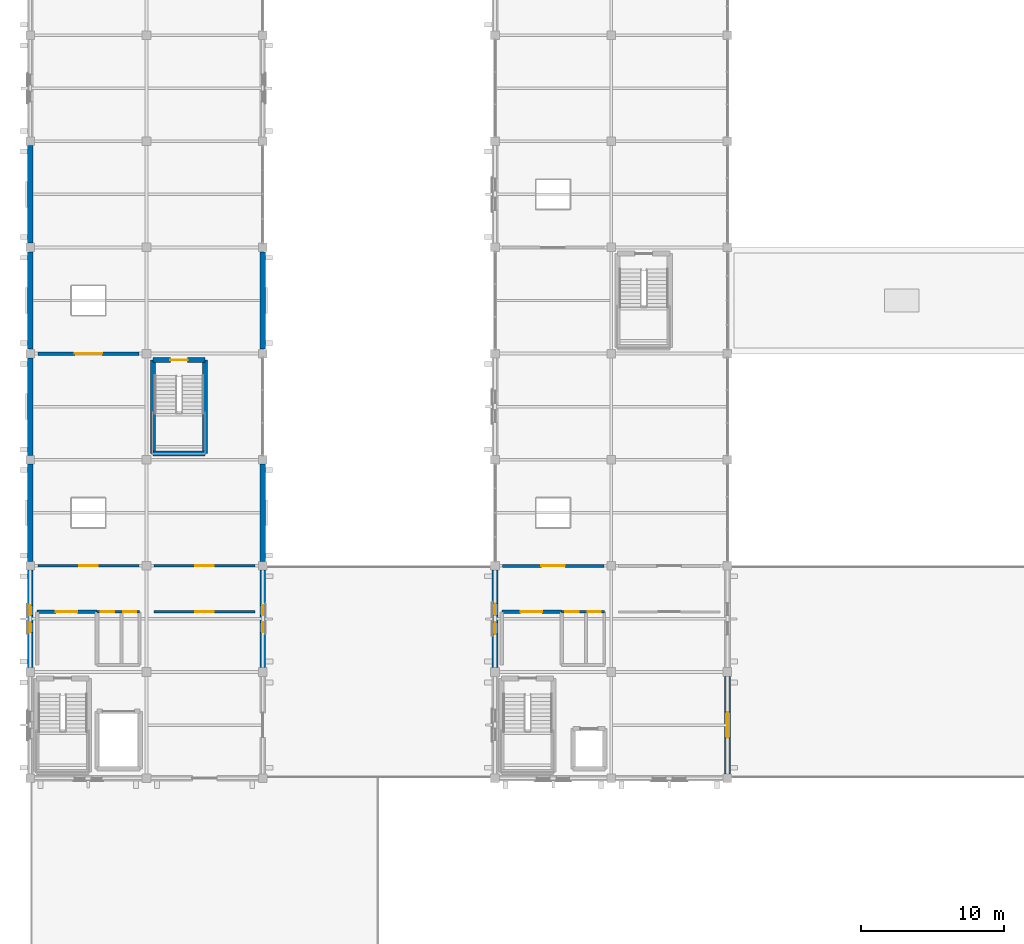
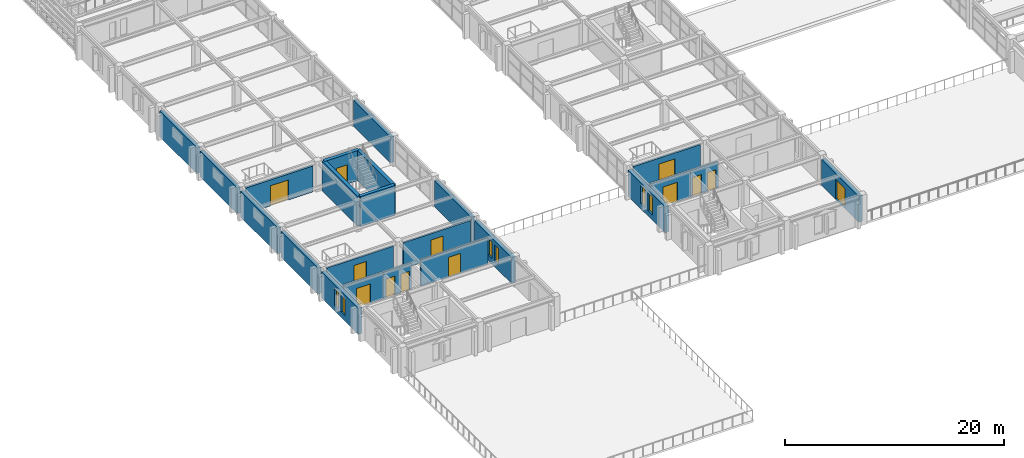
# One storey, part 101 of 121: 23 walls, 13 doors, 6 windows, 19 openings.
"""IFC4 building model written with IfcOpenShell, lengths in metres."""

from ifc_helpers import new_model, si_unit, direction, frame, frame_2d, origin, place, context, subcontext, project, spatial, rectangle, extrude, material, layer, layer_set, type_object, element, fill, save


model = new_model("IFC4")

# Units and contexts
model_context = context("Model", 3, precision=1e-05, world=origin(), true_north=direction((0.0, 1.0)))
body_context = subcontext(model_context, "Body", "Model", "MODEL_VIEW")
ifc_project = project(units=[si_unit("LENGTHUNIT", "METRE"), si_unit("AREAUNIT", "SQUARE_METRE"), si_unit("VOLUMEUNIT", "CUBIC_METRE"), si_unit("PLANEANGLEUNIT", "RADIAN"), si_unit("MASSUNIT", "GRAM", prefix="KILO")], contexts=[model_context])

# Site, building, storey
site_placement = place(None, origin())
site = spatial("IfcSite", under=ifc_project, at=site_placement, CompositionType="ELEMENT")
building_placement = place(site_placement, origin())
building = spatial("IfcBuilding", under=site, at=building_placement, Name="Cimatlan Art Gallery", CompositionType="ELEMENT")
storey_placement = place(building_placement, frame((0.0, 0.0, 10.199951171875)))
storey = spatial("IfcBuildingStorey", under=building, at=storey_placement, Name="L02", CompositionType="ELEMENT", Elevation=10.199951171875)

# Walls
ifc_material_1 = material(Name="Concrete C40/50", Category="concrete")
ifc_layer_1 = layer(ifc_material_1, 0.35009765625)
ifc_layer_set_1 = layer_set([ifc_layer_1], Name="Concrete C40/50")
wall_type_1 = type_object("IfcWallType", Name="W-CORE-350", PredefinedType="SHEAR", material=ifc_layer_set_1)
wall_1_placement = place(storey_placement, frame((10.5400390625, 46.5400390625, 0.0), z_axis=(0.0, 0.0, 1.0), x_axis=(0.0, 1.0, 0.0)))
element("IfcWall", 1, at=wall_1_placement, inside=storey, type_object=wall_type_1, Name="WL-CORE-C7-L02-SW", PredefinedType="SHEAR", context=body_context, shape_type="SweptSolid", body=[
    extrude(rectangle(XDim=6.52001953125, YDim=0.35009765625, at=frame_2d((3.260009765625, 0.0))), origin(), (0.0, 0.0, 1.0), 3.364990234375),
])
wall_2_placement = place(storey_placement, frame((10.5400390625, 46.5400390625, 0.0), z_axis=(0.0, 0.0, 1.0), x_axis=(1.0, 0.0, 0.0)))
element("IfcWall", 2, at=wall_2_placement, inside=storey, type_object=wall_type_1, Name="WL-CORE-C7-L02-SS", PredefinedType="SHEAR", context=body_context, shape_type="SweptSolid", body=[
    extrude(rectangle(XDim=3.639892578125, YDim=0.35009765625, at=frame_2d((1.81982421875, 0.0))), origin(), (0.0, 0.0, 1.0), 3.364990234375),
])
wall_3_placement = place(storey_placement, frame((14.179931640625, 46.5400390625, 0.0), z_axis=(0.0, 0.0, 1.0), x_axis=(0.0, 1.0, 0.0)))
element("IfcWall", 3, at=wall_3_placement, inside=storey, type_object=wall_type_1, Name="WL-CORE-C7-L02-SE", PredefinedType="SHEAR", context=body_context, shape_type="SweptSolid", body=[
    extrude(rectangle(XDim=6.52001953125, YDim=0.35009765625, at=frame_2d((3.260009765625, 0.0))), origin(), (0.0, 0.0, 1.0), 3.364990234375),
])

# Wall, opening, door
wall_4_placement = place(storey_placement, frame((10.5400390625, 53.06005859375, 0.0), z_axis=(0.0, 0.0, 1.0), x_axis=(1.0, 0.0, 0.0)))
wall_4 = element("IfcWall", 4, at=wall_4_placement, inside=storey, type_object=wall_type_1, Name="WL-CORE-C7-L02-SN", PredefinedType="SHEAR", context=body_context, shape_type="SweptSolid", body=[
    extrude(rectangle(XDim=3.639892578125, YDim=0.35009765625, at=frame_2d((1.81982421875, 0.0))), origin(), (0.0, 0.0, 1.0), 3.364990234375),
])
opening_1_placement = place(wall_4_placement, frame((1.219970703125, 0.0, 0.0)))
opening_1 = element("IfcOpeningElement", 5, at=opening_1_placement, cuts=wall_4, Name="Opening FD-C7-L02", PredefinedType="OPENING", context=body_context, shape_type="SweptSolid", body=[
    extrude(rectangle(XDim=1.199951171875, YDim=2.14990234375, at=frame_2d((0.60009765625, 1.074951171875))), frame((0.0, 0.18505859375, 0.0), z_axis=(0.0, -1.0, 0.0), x_axis=(1.0, 0.0, 0.0)), (0.0, 0.0, 1.0), 0.3701171875),
])
ifc_material_2 = material(Name="Fire-resisting steel acoustic stair door", Category="steel")
door_type_1 = type_object("IfcDoorType", Name="FD-ST-1200", OperationType="NOTDEFINED", PredefinedType="DOOR", material=ifc_material_2)
door_1_placement = place(opening_1_placement, origin())
door_1 = element("IfcDoor", 6, at=door_1_placement, inside=storey, type_object=door_type_1, Name="DR-C7-L02-ST", OperationType="SINGLE_SWING_LEFT", OverallHeight=2.14990234375, OverallWidth=1.199951171875, PredefinedType="DOOR", context=body_context, shape_type="SweptSolid", body=[
    extrude(rectangle(XDim=1.199951171875, YDim=2.14990234375, at=frame_2d((0.60009765625, 1.074951171875))), frame((0.0, 0.02490234375, 0.0), z_axis=(0.0, -1.0, 0.0), x_axis=(1.0, 0.0, 0.0)), (0.0, 0.0, 1.0), 0.050048828125),
])
fill(opening_1, door_1)

ifc_material_3 = material(Name="Precast concrete C40/50", Category="concrete")
ifc_layer_2 = layer(ifc_material_3, 0.2451171875)
ifc_layer_set_2 = layer_set([ifc_layer_2], Name="Precast concrete C40/50")
wall_type_2 = type_object("IfcWallType", Name="W-FFL-245", PredefinedType="PARTITIONING", material=ifc_layer_set_2)
wall_5_placement = place(storey_placement, frame((2.47998046875, 35.5, 0.0), z_axis=(0.0, 0.0, 1.0), x_axis=(1.0, 0.0, 0.0)))
wall_5 = element("IfcWall", 7, at=wall_5_placement, inside=storey, type_object=wall_type_2, Name="WL-LOB-C1-L02-N", PredefinedType="PARTITIONING", context=body_context, shape_type="SweptSolid", body=[
    extrude(rectangle(XDim=4.169921875, YDim=0.2451171875, at=frame_2d((2.0849609375, 0.0))), origin(), (0.0, 0.0, 1.0), 2.903076171875),
])
opening_2_placement = place(wall_5_placement, frame((1.300048828125, 0.0, 0.0)))
opening_2 = element("IfcOpeningElement", 8, at=opening_2_placement, cuts=wall_5, Name="Opening FDL-C1-L02", PredefinedType="OPENING", context=body_context, shape_type="SweptSolid", body=[
    extrude(rectangle(XDim=1.5, YDim=2.14990234375, at=frame_2d((0.75, 1.074951171875))), frame((0.0, 0.132568359375, 0.0), z_axis=(0.0, -1.0, 0.0), x_axis=(1.0, 0.0, 0.0)), (0.0, 0.0, 1.0), 0.26513671875),
])
ifc_material_4 = material(Name="Fire-resisting double-seal lobby door")
door_type_2 = type_object("IfcDoorType", Name="FD-LB-1500", OperationType="NOTDEFINED", PredefinedType="DOOR", material=ifc_material_4)
door_2_placement = place(opening_2_placement, origin())
door_2 = element("IfcDoor", 9, at=door_2_placement, inside=storey, type_object=door_type_2, Name="DR-LOB-C1-L02", OperationType="SINGLE_SWING_RIGHT", OverallHeight=2.14990234375, OverallWidth=1.5, PredefinedType="DOOR", context=body_context, shape_type="SweptSolid", body=[
    extrude(rectangle(XDim=1.5, YDim=2.14990234375, at=frame_2d((0.75, 1.074951171875))), frame((0.0, 0.02490234375, 0.0), z_axis=(0.0, -1.0, 0.0), x_axis=(1.0, 0.0, 0.0)), (0.0, 0.0, 1.0), 0.050048828125),
])
fill(opening_2, door_2)

wall_6_placement = place(storey_placement, frame((34.8798828125, 35.5, 0.0), z_axis=(0.0, 0.0, 1.0), x_axis=(1.0, 0.0, 0.0)))
wall_6 = element("IfcWall", 10, at=wall_6_placement, inside=storey, type_object=wall_type_2, Name="WL-LOB-C2-L02-N", PredefinedType="PARTITIONING", context=body_context, shape_type="SweptSolid", body=[
    extrude(rectangle(XDim=4.170166015625, YDim=0.2451171875, at=frame_2d((2.0849609375, 0.0))), origin(), (0.0, 0.0, 1.0), 2.903076171875),
])
opening_3_placement = place(wall_6_placement, frame((1.300048828125, 0.0, 0.0)))
opening_3 = element("IfcOpeningElement", 11, at=opening_3_placement, cuts=wall_6, Name="Opening FDL-C2-L02", PredefinedType="OPENING", context=body_context, shape_type="SweptSolid", body=[
    extrude(rectangle(XDim=1.5, YDim=2.14990234375, at=frame_2d((0.75, 1.074951171875))), frame((0.0, 0.132568359375, 0.0), z_axis=(0.0, -1.0, 0.0), x_axis=(1.0, 0.0, 0.0)), (0.0, 0.0, 1.0), 0.26513671875),
])
door_3_placement = place(opening_3_placement, origin())
door_3 = element("IfcDoor", 12, at=door_3_placement, inside=storey, type_object=door_type_2, Name="DR-LOB-C2-L02", OperationType="SINGLE_SWING_RIGHT", OverallHeight=2.14990234375, OverallWidth=1.5, PredefinedType="DOOR", context=body_context, shape_type="SweptSolid", body=[
    extrude(rectangle(XDim=1.5, YDim=2.14990234375, at=frame_2d((0.75, 1.074951171875))), frame((0.0, 0.02490234375, 0.0), z_axis=(0.0, -1.0, 0.0), x_axis=(1.0, 0.0, 0.0)), (0.0, 0.0, 1.0), 0.050048828125),
])
fill(opening_3, door_3)

wall_7_placement = place(storey_placement, frame((2.52001953125, 53.5, 0.0), z_axis=(0.0, 0.0, 1.0), x_axis=(1.0, 0.0, 0.0)))
wall_7 = element("IfcWall", 13, at=wall_7_placement, inside=storey, type_object=wall_type_2, Name="WL-RM-L02-AST-01", PredefinedType="PARTITIONING", context=body_context, shape_type="SweptSolid", body=[
    extrude(rectangle(XDim=7.06005859375, YDim=0.2451171875, at=frame_2d((3.530029296875, 0.0))), origin(), (0.0, 0.0, 1.0), 2.903076171875),
])
opening_4_placement = place(wall_7_placement, frame((2.580078125, 0.0, 0.0)))
opening_4 = element("IfcOpeningElement", 14, at=opening_4_placement, cuts=wall_7, Name="Opening DI-0224", PredefinedType="OPENING", context=body_context, shape_type="SweptSolid", body=[
    extrude(rectangle(XDim=1.89990234375, YDim=2.25, at=frame_2d((0.949951171875, 1.125))), frame((0.0, 0.132568359375, 0.0), z_axis=(0.0, -1.0, 0.0), x_axis=(1.0, 0.0, 0.0)), (0.0, 0.0, 1.0), 0.26513671875),
])
ifc_material_5 = material(Name="Fire-resisting art-store and archive vault door")
door_type_3 = type_object("IfcDoorType", Name="FD-VL-1900", OperationType="NOTDEFINED", PredefinedType="DOOR", material=ifc_material_5)
door_4_placement = place(opening_4_placement, origin())
door_4 = element("IfcDoor", 15, at=door_4_placement, inside=storey, type_object=door_type_3, Name="DR-RM-L02-AST-01", OperationType="SINGLE_SWING_RIGHT", OverallHeight=2.25, OverallWidth=1.89990234375, PredefinedType="DOOR", context=body_context, shape_type="SweptSolid", body=[
    extrude(rectangle(XDim=1.89990234375, YDim=2.25, at=frame_2d((0.949951171875, 1.125))), frame((0.0, 0.02490234375, 0.0), z_axis=(0.0, -1.0, 0.0), x_axis=(1.0, 0.0, 0.0)), (0.0, 0.0, 1.0), 0.050048828125),
])
fill(opening_4, door_4)

ifc_material_6 = material(Name="Acoustic gypsum and steel stud partition", Category="steel")
ifc_layer_3 = layer(ifc_material_6, 0.205078125)
ifc_layer_set_3 = layer_set([ifc_layer_3], Name="Acoustic gypsum and steel stud partition")
wall_type_3 = type_object("IfcWallType", Name="W-GAL-205", PredefinedType="PARTITIONING", material=ifc_layer_set_3)
wall_8_placement = place(storey_placement, frame((34.919921875, 38.699951171875, 0.0), z_axis=(0.0, 0.0, 1.0), x_axis=(1.0, 0.0, 0.0)))
wall_8 = element("IfcWall", 16, at=wall_8_placement, inside=storey, type_object=wall_type_3, Name="WL-RM-L02-GAL-W1", PredefinedType="PARTITIONING", context=body_context, shape_type="SweptSolid", body=[
    extrude(rectangle(XDim=7.06005859375, YDim=0.205078125, at=frame_2d((3.530029296875, 0.0))), origin(), (0.0, 0.0, 1.0), 2.903076171875),
])
opening_5_placement = place(wall_8_placement, frame((2.705078125, 0.0, 0.0)))
opening_5 = element("IfcOpeningElement", 17, at=opening_5_placement, cuts=wall_8, Name="Opening DI-0226", PredefinedType="OPENING", context=body_context, shape_type="SweptSolid", body=[
    extrude(rectangle(XDim=1.64990234375, YDim=2.25, at=frame_2d((0.824951171875, 1.125))), frame((0.0, 0.112548828125, 0.0), z_axis=(0.0, -1.0, 0.0), x_axis=(1.0, 0.0, 0.0)), (0.0, 0.0, 1.0), 0.22509765625),
])
ifc_material_7 = material(Name="European oak gallery double door")
door_type_4 = type_object("IfcDoorType", Name="DI-GL-1650", OperationType="NOTDEFINED", PredefinedType="DOOR", material=ifc_material_7)
door_5_placement = place(opening_5_placement, origin())
door_5 = element("IfcDoor", 18, at=door_5_placement, inside=storey, type_object=door_type_4, Name="DR-RM-L02-GAL-W1", OperationType="SINGLE_SWING_RIGHT", OverallHeight=2.25, OverallWidth=1.64990234375, PredefinedType="DOOR", context=body_context, shape_type="SweptSolid", body=[
    extrude(rectangle(XDim=1.64990234375, YDim=2.25, at=frame_2d((0.824951171875, 1.125))), frame((0.0, 0.02490234375, 0.0), z_axis=(0.0, -1.0, 0.0), x_axis=(1.0, 0.0, 0.0)), (0.0, 0.0, 1.0), 0.050048828125),
])
fill(opening_5, door_5)

# Wall, openings, doors
ifc_material_8 = material(Name="Moisture-resistant fire-rated plumbing wall")
ifc_layer_4 = layer(ifc_material_8, 0.195068359375)
ifc_layer_set_4 = layer_set([ifc_layer_4], Name="Moisture-resistant fire-rated plumbing wall")
wall_type_4 = type_object("IfcWallType", Name="W-PLM-195", PredefinedType="PARTITIONING", material=ifc_layer_set_4)
wall_9_placement = place(storey_placement, frame((6.64990234375, 35.5, 0.0), z_axis=(0.0, 0.0, 1.0), x_axis=(1.0, 0.0, 0.0)))
wall_9 = element("IfcWall", 19, at=wall_9_placement, inside=storey, type_object=wall_type_4, Name="WL-WC-C1-L02-N", PredefinedType="PARTITIONING", context=body_context, shape_type="SweptSolid", body=[
    extrude(rectangle(XDim=2.97021484375, YDim=0.195068359375, at=frame_2d((1.485107421875, 0.0))), origin(), (0.0, 0.0, 1.0), 2.903076171875),
])
opening_6_placement = place(wall_9_placement, frame((0.25, 0.0, 0.0)))
opening_6 = element("IfcOpeningElement", 20, at=opening_6_placement, cuts=wall_9, Name="Opening DWC-C1A-L02", PredefinedType="OPENING", context=body_context, shape_type="SweptSolid", body=[
    extrude(rectangle(XDim=0.949951171875, YDim=2.10009765625, at=frame_2d((0.47509765625, 1.050048828125))), frame((0.0, 0.107421875, 0.0), z_axis=(0.0, -1.0, 0.0), x_axis=(1.0, 0.0, 0.0)), (0.0, 0.0, 1.0), 0.215087890625),
])
opening_7_placement = place(wall_9_placement, frame((1.820068359375, 0.0, 0.0)))
opening_7 = element("IfcOpeningElement", 21, at=opening_7_placement, cuts=wall_9, Name="Opening DWC-C1B-L02", PredefinedType="OPENING", context=body_context, shape_type="SweptSolid", body=[
    extrude(rectangle(XDim=0.89990234375, YDim=2.10009765625, at=frame_2d((0.449951171875, 1.050048828125))), frame((0.0, 0.107421875, 0.0), z_axis=(0.0, -1.0, 0.0), x_axis=(1.0, 0.0, 0.0)), (0.0, 0.0, 1.0), 0.215087890625),
])
ifc_material_9 = material(Name="Sanitary room door")
door_type_5 = type_object("IfcDoorType", Name="DI-WC-0900", OperationType="NOTDEFINED", PredefinedType="DOOR", material=ifc_material_9)
door_6_placement = place(opening_7_placement, origin())
door_6 = element("IfcDoor", 22, at=door_6_placement, inside=storey, type_object=door_type_5, Name="DR-PWC-C1-L02", OperationType="SINGLE_SWING_RIGHT", OverallHeight=2.10009765625, OverallWidth=0.89990234375, PredefinedType="DOOR", context=body_context, shape_type="SweptSolid", body=[
    extrude(rectangle(XDim=0.89990234375, YDim=2.10009765625, at=frame_2d((0.449951171875, 1.050048828125))), frame((0.0, 0.02490234375, 0.0), z_axis=(0.0, -1.0, 0.0), x_axis=(1.0, 0.0, 0.0)), (0.0, 0.0, 1.0), 0.050048828125),
])
fill(opening_7, door_6)
ifc_material_10 = material(Name="Accessible sanitary room door")
door_type_6 = type_object("IfcDoorType", Name="DI-WC-0950", OperationType="NOTDEFINED", PredefinedType="DOOR", material=ifc_material_10)
door_7_placement = place(opening_6_placement, origin())
door_7 = element("IfcDoor", 23, at=door_7_placement, inside=storey, type_object=door_type_6, Name="DR-AWC-C1-L02", OperationType="SINGLE_SWING_LEFT", OverallHeight=2.10009765625, OverallWidth=0.949951171875, PredefinedType="DOOR", context=body_context, shape_type="SweptSolid", body=[
    extrude(rectangle(XDim=0.949951171875, YDim=2.10009765625, at=frame_2d((0.47509765625, 1.050048828125))), frame((0.0, 0.02490234375, 0.0), z_axis=(0.0, -1.0, 0.0), x_axis=(1.0, 0.0, 0.0)), (0.0, 0.0, 1.0), 0.050048828125),
])
fill(opening_6, door_7)

wall_10_placement = place(storey_placement, frame((39.050048828125, 35.5, 0.0), z_axis=(0.0, 0.0, 1.0), x_axis=(1.0, 0.0, 0.0)))
wall_10 = element("IfcWall", 24, at=wall_10_placement, inside=storey, type_object=wall_type_4, Name="WL-WC-C2-L02-N", PredefinedType="PARTITIONING", context=body_context, shape_type="SweptSolid", body=[
    extrude(rectangle(XDim=2.969970703125, YDim=0.195068359375, at=frame_2d((1.48486328125, 0.0))), origin(), (0.0, 0.0, 1.0), 2.903076171875),
])
opening_8_placement = place(wall_10_placement, frame((0.25, 0.0, 0.0)))
opening_8 = element("IfcOpeningElement", 25, at=opening_8_placement, cuts=wall_10, Name="Opening DWC-C2A-L02", PredefinedType="OPENING", context=body_context, shape_type="SweptSolid", body=[
    extrude(rectangle(XDim=0.949951171875, YDim=2.10009765625, at=frame_2d((0.47509765625, 1.050048828125))), frame((0.0, 0.107421875, 0.0), z_axis=(0.0, -1.0, 0.0), x_axis=(1.0, 0.0, 0.0)), (0.0, 0.0, 1.0), 0.215087890625),
])
opening_9_placement = place(wall_10_placement, frame((1.820068359375, 0.0, 0.0)))
opening_9 = element("IfcOpeningElement", 26, at=opening_9_placement, cuts=wall_10, Name="Opening DWC-C2B-L02", PredefinedType="OPENING", context=body_context, shape_type="SweptSolid", body=[
    extrude(rectangle(XDim=0.89990234375, YDim=2.10009765625, at=frame_2d((0.449951171875, 1.050048828125))), frame((0.0, 0.107421875, 0.0), z_axis=(0.0, -1.0, 0.0), x_axis=(1.0, 0.0, 0.0)), (0.0, 0.0, 1.0), 0.215087890625),
])
door_8_placement = place(opening_9_placement, origin())
door_8 = element("IfcDoor", 27, at=door_8_placement, inside=storey, type_object=door_type_5, Name="DR-PWC-C2-L02", OperationType="SINGLE_SWING_RIGHT", OverallHeight=2.10009765625, OverallWidth=0.89990234375, PredefinedType="DOOR", context=body_context, shape_type="SweptSolid", body=[
    extrude(rectangle(XDim=0.89990234375, YDim=2.10009765625, at=frame_2d((0.449951171875, 1.050048828125))), frame((0.0, 0.02490234375, 0.0), z_axis=(0.0, -1.0, 0.0), x_axis=(1.0, 0.0, 0.0)), (0.0, 0.0, 1.0), 0.050048828125),
])
fill(opening_9, door_8)
door_9_placement = place(opening_8_placement, origin())
door_9 = element("IfcDoor", 28, at=door_9_placement, inside=storey, type_object=door_type_6, Name="DR-AWC-C2-L02", OperationType="SINGLE_SWING_LEFT", OverallHeight=2.10009765625, OverallWidth=0.949951171875, PredefinedType="DOOR", context=body_context, shape_type="SweptSolid", body=[
    extrude(rectangle(XDim=0.949951171875, YDim=2.10009765625, at=frame_2d((0.47509765625, 1.050048828125))), frame((0.0, 0.02490234375, 0.0), z_axis=(0.0, -1.0, 0.0), x_axis=(1.0, 0.0, 0.0)), (0.0, 0.0, 1.0), 0.050048828125),
])
fill(opening_8, door_9)

# Wall, opening, door
ifc_layer_5 = layer(ifc_material_6, 0.179931640625)
ifc_layer_set_5 = layer_set([ifc_layer_5], Name="Acoustic gypsum and steel stud partition")
wall_type_5 = type_object("IfcWallType", Name="W-STD-180", PredefinedType="PARTITIONING", material=ifc_layer_set_5)
wall_11_placement = place(storey_placement, frame((10.6201171875, 35.5, 0.0), z_axis=(0.0, 0.0, 1.0), x_axis=(1.0, 0.0, 0.0)))
wall_11 = element("IfcWall", 29, at=wall_11_placement, inside=storey, type_object=wall_type_5, Name="WL-RM-L02-CNS-B1A", PredefinedType="PARTITIONING", context=body_context, shape_type="SweptSolid", body=[
    extrude(rectangle(XDim=7.059814453125, YDim=0.179931640625, at=frame_2d((3.52978515625, 0.0))), origin(), (0.0, 0.0, 1.0), 2.903076171875),
])
opening_10_placement = place(wall_11_placement, frame((2.8798828125, 0.0, 0.0)))
opening_10 = element("IfcOpeningElement", 30, at=opening_10_placement, cuts=wall_11, Name="Opening DI-0221", PredefinedType="OPENING", context=body_context, shape_type="SweptSolid", body=[
    extrude(rectangle(XDim=1.300048828125, YDim=2.199951171875, at=frame_2d((0.64990234375, 1.10009765625))), frame((0.0, 0.10009765625, 0.0), z_axis=(0.0, -1.0, 0.0), x_axis=(1.0, 0.0, 0.0)), (0.0, 0.0, 1.0), 0.199951171875),
])
ifc_material_11 = material(Name="Conservation laboratory double-leaf door")
door_type_7 = type_object("IfcDoorType", Name="DI-CN-1300", OperationType="NOTDEFINED", PredefinedType="DOOR", material=ifc_material_11)
door_10_placement = place(opening_10_placement, origin())
door_10 = element("IfcDoor", 31, at=door_10_placement, inside=storey, type_object=door_type_7, Name="DR-RM-L02-CNS-B1A", OperationType="SINGLE_SWING_LEFT", OverallHeight=2.199951171875, OverallWidth=1.300048828125, PredefinedType="DOOR", context=body_context, shape_type="SweptSolid", body=[
    extrude(rectangle(XDim=1.300048828125, YDim=2.199951171875, at=frame_2d((0.64990234375, 1.10009765625))), frame((0.0, 0.02490234375, 0.0), z_axis=(0.0, -1.0, 0.0), x_axis=(1.0, 0.0, 0.0)), (0.0, 0.0, 1.0), 0.050048828125),
])
fill(opening_10, door_10)

wall_12_placement = place(storey_placement, frame((2.52001953125, 38.699951171875, 0.0), z_axis=(0.0, 0.0, 1.0), x_axis=(1.0, 0.0, 0.0)))
wall_12 = element("IfcWall", 32, at=wall_12_placement, inside=storey, type_object=wall_type_5, Name="WL-RM-L02-CNS-02", PredefinedType="PARTITIONING", context=body_context, shape_type="SweptSolid", body=[
    extrude(rectangle(XDim=7.06005859375, YDim=0.179931640625, at=frame_2d((3.530029296875, 0.0))), origin(), (0.0, 0.0, 1.0), 2.903076171875),
])
opening_11_placement = place(wall_12_placement, frame((2.8798828125, 0.0, 0.0)))
opening_11 = element("IfcOpeningElement", 33, at=opening_11_placement, cuts=wall_12, Name="Opening DI-0222", PredefinedType="OPENING", context=body_context, shape_type="SweptSolid", body=[
    extrude(rectangle(XDim=1.300048828125, YDim=2.199951171875, at=frame_2d((0.64990234375, 1.10009765625))), frame((0.0, 0.10009765625, 0.0), z_axis=(0.0, -1.0, 0.0), x_axis=(1.0, 0.0, 0.0)), (0.0, 0.0, 1.0), 0.199951171875),
])
door_11_placement = place(opening_11_placement, origin())
door_11 = element("IfcDoor", 34, at=door_11_placement, inside=storey, type_object=door_type_7, Name="DR-RM-L02-CNS-02", OperationType="SINGLE_SWING_RIGHT", OverallHeight=2.199951171875, OverallWidth=1.300048828125, PredefinedType="DOOR", context=body_context, shape_type="SweptSolid", body=[
    extrude(rectangle(XDim=1.300048828125, YDim=2.199951171875, at=frame_2d((0.64990234375, 1.10009765625))), frame((0.0, 0.02490234375, 0.0), z_axis=(0.0, -1.0, 0.0), x_axis=(1.0, 0.0, 0.0)), (0.0, 0.0, 1.0), 0.050048828125),
])
fill(opening_11, door_11)

wall_13_placement = place(storey_placement, frame((10.6201171875, 38.699951171875, 0.0), z_axis=(0.0, 0.0, 1.0), x_axis=(1.0, 0.0, 0.0)))
wall_13 = element("IfcWall", 35, at=wall_13_placement, inside=storey, type_object=wall_type_5, Name="WL-RM-L02-CNS-02B", PredefinedType="PARTITIONING", context=body_context, shape_type="SweptSolid", body=[
    extrude(rectangle(XDim=7.059814453125, YDim=0.179931640625, at=frame_2d((3.52978515625, 0.0))), origin(), (0.0, 0.0, 1.0), 2.903076171875),
])
opening_12_placement = place(wall_13_placement, frame((2.8798828125, 0.0, 0.0)))
opening_12 = element("IfcOpeningElement", 36, at=opening_12_placement, cuts=wall_13, Name="Opening DI-0223", PredefinedType="OPENING", context=body_context, shape_type="SweptSolid", body=[
    extrude(rectangle(XDim=1.300048828125, YDim=2.199951171875, at=frame_2d((0.64990234375, 1.10009765625))), frame((0.0, 0.10009765625, 0.0), z_axis=(0.0, -1.0, 0.0), x_axis=(1.0, 0.0, 0.0)), (0.0, 0.0, 1.0), 0.199951171875),
])
door_12_placement = place(opening_12_placement, origin())
door_12 = element("IfcDoor", 37, at=door_12_placement, inside=storey, type_object=door_type_7, Name="DR-RM-L02-CNS-02B", OperationType="SINGLE_SWING_LEFT", OverallHeight=2.199951171875, OverallWidth=1.300048828125, PredefinedType="DOOR", context=body_context, shape_type="SweptSolid", body=[
    extrude(rectangle(XDim=1.300048828125, YDim=2.199951171875, at=frame_2d((0.64990234375, 1.10009765625))), frame((0.0, 0.02490234375, 0.0), z_axis=(0.0, -1.0, 0.0), x_axis=(1.0, 0.0, 0.0)), (0.0, 0.0, 1.0), 0.050048828125),
])
fill(opening_12, door_12)

# Wall, openings, windows
ifc_layer_6 = layer(ifc_material_3, 0.39990234375)
ifc_layer_set_6 = layer_set([ifc_layer_6], Name="Precast concrete C40/50")
wall_type_6 = type_object("IfcWallType", Name="WL-EXT-CAN-400", PredefinedType="SOLIDWALL", material=ifc_layer_set_6)
wall_14_placement = place(storey_placement, frame((2.0, 31.60400390625, 0.0), z_axis=(0.0, 0.0, 1.0), x_axis=(0.0, 1.0, 0.0)))
wall_14 = element("IfcWall", 38, at=wall_14_placement, inside=storey, type_object=wall_type_6, Name="WL-EXT-L02-00-04-W", PredefinedType="SOLIDWALL", context=body_context, shape_type="SweptSolid", body=[
    extrude(rectangle(XDim=6.7919921875, YDim=0.39990234375, at=frame_2d((3.39599609375, 0.0))), origin(), (0.0, 0.0, 1.0), 2.89794921875),
])
opening_13_placement = place(wall_14_placement, frame((2.4560546875, 0.0, 0.60009765625)))
opening_13 = element("IfcOpeningElement", 39, at=opening_13_placement, cuts=wall_14, Name="Opening WN-0129", PredefinedType="OPENING", context=body_context, shape_type="SweptSolid", body=[
    extrude(rectangle(XDim=0.699951171875, YDim=1.860107421875, at=frame_2d((0.35009765625, 0.93017578125))), frame((0.0, 0.2099609375, 0.0), z_axis=(0.0, -1.0, 0.0), x_axis=(1.0, 0.0, 0.0)), (0.0, 0.0, 1.0), 0.419921875),
])
opening_14_placement = place(wall_14_placement, frame((3.635986328125, 0.0, 0.60009765625)))
opening_14 = element("IfcOpeningElement", 40, at=opening_14_placement, cuts=wall_14, Name="Opening WN-0130", PredefinedType="OPENING", context=body_context, shape_type="SweptSolid", body=[
    extrude(rectangle(XDim=0.699951171875, YDim=1.860107421875, at=frame_2d((0.35009765625, 0.93017578125))), frame((0.0, 0.2099609375, 0.0), z_axis=(0.0, -1.0, 0.0), x_axis=(1.0, 0.0, 0.0)), (0.0, 0.0, 1.0), 0.419921875),
])
ifc_material_12 = material(Name="Low-E laminated double glazing in bronze lancet frame", Category="glass")
window_type_1 = type_object("IfcWindowType", Name="WIN-CNS-L02-0700X1860", PartitioningType="SINGLE_PANEL", PredefinedType="WINDOW", material=ifc_material_12)
window_1_placement = place(opening_13_placement, origin())
window_1 = element("IfcWindow", 41, at=window_1_placement, inside=storey, type_object=window_type_1, Name="WIN-0129", OverallHeight=1.860107421875, OverallWidth=0.699951171875, PartitioningType="SINGLE_PANEL", PredefinedType="WINDOW", context=body_context, shape_type="SweptSolid", body=[
    extrude(rectangle(XDim=0.699951171875, YDim=1.860107421875, at=frame_2d((0.35009765625, 0.93017578125))), frame((0.0, 0.030029296875, 0.0), z_axis=(0.0, -1.0, 0.0), x_axis=(1.0, 0.0, 0.0)), (0.0, 0.0, 1.0), 0.06005859375),
])
fill(opening_13, window_1)
window_2_placement = place(opening_14_placement, origin())
window_2 = element("IfcWindow", 42, at=window_2_placement, inside=storey, type_object=window_type_1, Name="WIN-0130", OverallHeight=1.860107421875, OverallWidth=0.699951171875, PartitioningType="SINGLE_PANEL", PredefinedType="WINDOW", context=body_context, shape_type="SweptSolid", body=[
    extrude(rectangle(XDim=0.699951171875, YDim=1.860107421875, at=frame_2d((0.35009765625, 0.93017578125))), frame((0.0, 0.030029296875, 0.0), z_axis=(0.0, -1.0, 0.0), x_axis=(1.0, 0.0, 0.0)), (0.0, 0.0, 1.0), 0.06005859375),
])
fill(opening_14, window_2)

wall_15_placement = place(storey_placement, frame((18.199951171875, 38.39599609375, 0.0), z_axis=(0.0, 0.0, 1.0), x_axis=(0.0, -1.0, 0.0)))
wall_15 = element("IfcWall", 43, at=wall_15_placement, inside=storey, type_object=wall_type_6, Name="WL-EXT-L02-01-04-E", PredefinedType="SOLIDWALL", context=body_context, shape_type="SweptSolid", body=[
    extrude(rectangle(XDim=6.7919921875, YDim=0.39990234375, at=frame_2d((3.39599609375, 0.0))), origin(), (0.0, 0.0, 1.0), 2.89794921875),
])
opening_15_placement = place(wall_15_placement, frame((2.4560546875, 0.0, 0.60009765625)))
opening_15 = element("IfcOpeningElement", 44, at=opening_15_placement, cuts=wall_15, Name="Opening WN-0137", PredefinedType="OPENING", context=body_context, shape_type="SweptSolid", body=[
    extrude(rectangle(XDim=0.699951171875, YDim=1.860107421875, at=frame_2d((0.35009765625, 0.93017578125))), frame((0.0, 0.2099609375, 0.0), z_axis=(0.0, -1.0, 0.0), x_axis=(1.0, 0.0, 0.0)), (0.0, 0.0, 1.0), 0.419921875),
])
opening_16_placement = place(wall_15_placement, frame((3.635986328125, 0.0, 0.60009765625)))
opening_16 = element("IfcOpeningElement", 45, at=opening_16_placement, cuts=wall_15, Name="Opening WN-0138", PredefinedType="OPENING", context=body_context, shape_type="SweptSolid", body=[
    extrude(rectangle(XDim=0.699951171875, YDim=1.860107421875, at=frame_2d((0.35009765625, 0.93017578125))), frame((0.0, 0.2099609375, 0.0), z_axis=(0.0, -1.0, 0.0), x_axis=(1.0, 0.0, 0.0)), (0.0, 0.0, 1.0), 0.419921875),
])
window_3_placement = place(opening_15_placement, origin())
window_3 = element("IfcWindow", 46, at=window_3_placement, inside=storey, type_object=window_type_1, Name="WIN-0137", OverallHeight=1.860107421875, OverallWidth=0.699951171875, PartitioningType="SINGLE_PANEL", PredefinedType="WINDOW", context=body_context, shape_type="SweptSolid", body=[
    extrude(rectangle(XDim=0.699951171875, YDim=1.860107421875, at=frame_2d((0.35009765625, 0.93017578125))), frame((0.0, 0.030029296875, 0.0), z_axis=(0.0, -1.0, 0.0), x_axis=(1.0, 0.0, 0.0)), (0.0, 0.0, 1.0), 0.06005859375),
])
fill(opening_15, window_3)
window_4_placement = place(opening_16_placement, origin())
window_4 = element("IfcWindow", 47, at=window_4_placement, inside=storey, type_object=window_type_1, Name="WIN-0138", OverallHeight=1.860107421875, OverallWidth=0.699951171875, PartitioningType="SINGLE_PANEL", PredefinedType="WINDOW", context=body_context, shape_type="SweptSolid", body=[
    extrude(rectangle(XDim=0.699951171875, YDim=1.860107421875, at=frame_2d((0.35009765625, 0.93017578125))), frame((0.0, 0.030029296875, 0.0), z_axis=(0.0, -1.0, 0.0), x_axis=(1.0, 0.0, 0.0)), (0.0, 0.0, 1.0), 0.06005859375),
])
fill(opening_16, window_4)

wall_16_placement = place(storey_placement, frame((34.39990234375, 31.60400390625, 0.0), z_axis=(0.0, 0.0, 1.0), x_axis=(0.0, 1.0, 0.0)))
wall_16 = element("IfcWall", 48, at=wall_16_placement, inside=storey, type_object=wall_type_6, Name="WL-EXT-L02-04-04-W", PredefinedType="SOLIDWALL", context=body_context, shape_type="SweptSolid", body=[
    extrude(rectangle(XDim=6.7919921875, YDim=0.39990234375, at=frame_2d((3.39599609375, 0.0))), origin(), (0.0, 0.0, 1.0), 2.89794921875),
])
opening_17_placement = place(wall_16_placement, frame((2.3359375, 0.0, 0.60009765625)))
opening_17 = element("IfcOpeningElement", 49, at=opening_17_placement, cuts=wall_16, Name="Opening WN-0145", PredefinedType="OPENING", context=body_context, shape_type="SweptSolid", body=[
    extrude(rectangle(XDim=0.820068359375, YDim=2.0, at=frame_2d((0.41015625, 1.0))), frame((0.0, 0.2099609375, 0.0), z_axis=(0.0, -1.0, 0.0), x_axis=(1.0, 0.0, 0.0)), (0.0, 0.0, 1.0), 0.419921875),
])
opening_18_placement = place(wall_16_placement, frame((3.635986328125, 0.0, 0.60009765625)))
opening_18 = element("IfcOpeningElement", 50, at=opening_18_placement, cuts=wall_16, Name="Opening WN-0146", PredefinedType="OPENING", context=body_context, shape_type="SweptSolid", body=[
    extrude(rectangle(XDim=0.820068359375, YDim=2.0, at=frame_2d((0.41015625, 1.0))), frame((0.0, 0.2099609375, 0.0), z_axis=(0.0, -1.0, 0.0), x_axis=(1.0, 0.0, 0.0)), (0.0, 0.0, 1.0), 0.419921875),
])
window_type_2 = type_object("IfcWindowType", Name="WIN-W-L02-0820X2000", PartitioningType="SINGLE_PANEL", PredefinedType="WINDOW", material=ifc_material_12)
window_5_placement = place(opening_17_placement, origin())
window_5 = element("IfcWindow", 51, at=window_5_placement, inside=storey, type_object=window_type_2, Name="WIN-0145", OverallHeight=2.0, OverallWidth=0.820068359375, PartitioningType="SINGLE_PANEL", PredefinedType="WINDOW", context=body_context, shape_type="SweptSolid", body=[
    extrude(rectangle(XDim=0.820068359375, YDim=2.0, at=frame_2d((0.41015625, 1.0))), frame((0.0, 0.030029296875, 0.0), z_axis=(0.0, -1.0, 0.0), x_axis=(1.0, 0.0, 0.0)), (0.0, 0.0, 1.0), 0.06005859375),
])
fill(opening_17, window_5)
window_6_placement = place(opening_18_placement, origin())
window_6 = element("IfcWindow", 52, at=window_6_placement, inside=storey, type_object=window_type_2, Name="WIN-0146", OverallHeight=2.0, OverallWidth=0.820068359375, PartitioningType="SINGLE_PANEL", PredefinedType="WINDOW", context=body_context, shape_type="SweptSolid", body=[
    extrude(rectangle(XDim=0.820068359375, YDim=2.0, at=frame_2d((0.41015625, 1.0))), frame((0.0, 0.030029296875, 0.0), z_axis=(0.0, -1.0, 0.0), x_axis=(1.0, 0.0, 0.0)), (0.0, 0.0, 1.0), 0.06005859375),
])
fill(opening_18, window_6)

# Wall, opening, door
wall_17_placement = place(storey_placement, frame((50.60009765625, 30.99609375, 0.0), z_axis=(0.0, 0.0, 1.0), x_axis=(0.0, -1.0, 0.0)))
wall_17 = element("IfcWall", 53, at=wall_17_placement, inside=storey, type_object=wall_type_6, Name="WL-EXT-L02-05-03-E", PredefinedType="SOLIDWALL", context=body_context, shape_type="SweptSolid", body=[
    extrude(rectangle(XDim=6.7919921875, YDim=0.39990234375, at=frame_2d((3.39599609375, 0.0))), origin(), (0.0, 0.0, 1.0), 2.89794921875),
])
opening_19_placement = place(wall_17_placement, frame((2.49609375, 0.0, 0.0)))
opening_19 = element("IfcOpeningElement", 54, at=opening_19_placement, cuts=wall_17, Name="Opening D-L02-T07", PredefinedType="OPENING", context=body_context, shape_type="SweptSolid", body=[
    extrude(rectangle(XDim=1.800048828125, YDim=2.199951171875, at=frame_2d((0.89990234375, 1.10009765625))), frame((0.0, 0.2099609375, 0.0), z_axis=(0.0, -1.0, 0.0), x_axis=(1.0, 0.0, 0.0)), (0.0, 0.0, 1.0), 0.419921875),
])
ifc_material_13 = material(Name="Anodised bronze and laminated safety glass door", Category="glass")
door_type_8 = type_object("IfcDoorType", Name="DE-TR-1800", OperationType="NOTDEFINED", PredefinedType="DOOR", material=ifc_material_13)
door_13_placement = place(opening_19_placement, origin())
door_13 = element("IfcDoor", 55, at=door_13_placement, inside=storey, type_object=door_type_8, Name="D-L02-T07", OperationType="SINGLE_SWING_LEFT", OverallHeight=2.199951171875, OverallWidth=1.800048828125, PredefinedType="DOOR", context=body_context, shape_type="SweptSolid", body=[
    extrude(rectangle(XDim=1.800048828125, YDim=2.199951171875, at=frame_2d((0.89990234375, 1.10009765625))), frame((0.0, 0.02490234375, 0.0), z_axis=(0.0, -1.0, 0.0), x_axis=(1.0, 0.0, 0.0)), (0.0, 0.0, 1.0), 0.050048828125),
])
fill(opening_19, door_13)

# Walls
ifc_layer_7 = layer(ifc_material_3, 0.364990234375)
ifc_layer_set_7 = layer_set([ifc_layer_7], Name="Precast concrete C40/50")
wall_type_7 = type_object("IfcWallType", Name="WL-EXT-VLT-365", PredefinedType="SOLIDWALL", material=ifc_layer_set_7)
for number, where, z_axis, x_axis, name in (
    (56, (2.0, 39.00390625, 0.0), (0.0, 0.0, 1.0), (0.0, 1.0, 0.0), "WL-EXT-L02-00-05-W"),
    (57, (2.0, 46.404052734375, 0.0), (0.0, 0.0, 1.0), (0.0, 1.0, 0.0), "WL-EXT-L02-00-06-W"),
    (58, (2.0, 53.803955078125, 0.0), (0.0, 0.0, 1.0), (0.0, 1.0, 0.0), "WL-EXT-L02-00-07-W"),
    (59, (2.0, 61.2041015625, 0.0), (0.0, 0.0, 1.0), (0.0, 1.0, 0.0), "WL-EXT-L02-00-08-W"),
    (60, (18.199951171875, 45.7958984375, 0.0), (0.0, 0.0, 1.0), (0.0, -1.0, 0.0), "WL-EXT-L02-01-05-E"),
    (61, (18.199951171875, 60.595947265625, 0.0), (0.0, 0.0, 1.0), (0.0, -1.0, 0.0), "WL-EXT-L02-01-07-E"),
):
    element("IfcWall", number, at=place(storey_placement, frame(where, z_axis=z_axis, x_axis=x_axis)), inside=storey, type_object=wall_type_7, Name=name, PredefinedType="SOLIDWALL", context=body_context, shape_type="SweptSolid", body=[
        extrude(rectangle(XDim=6.7919921875, YDim=0.364990234375, at=frame_2d((3.39599609375, 0.0))), origin(), (0.0, 0.0, 1.0), 2.89794921875),
    ])

save(model, "model.ifc")
